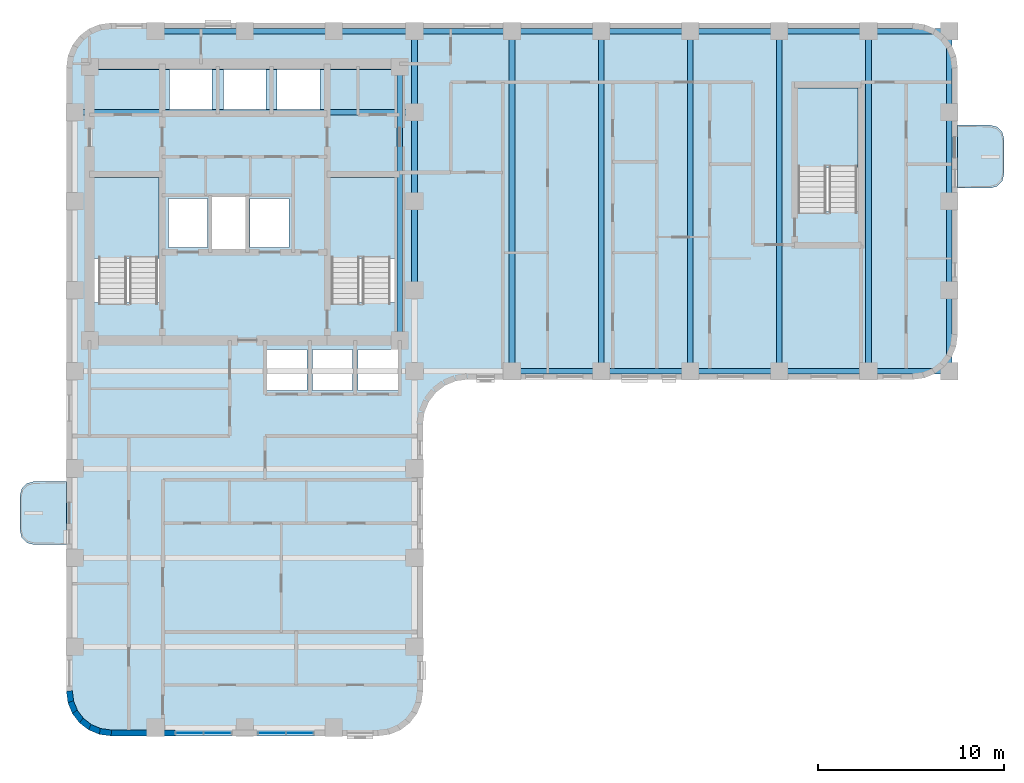
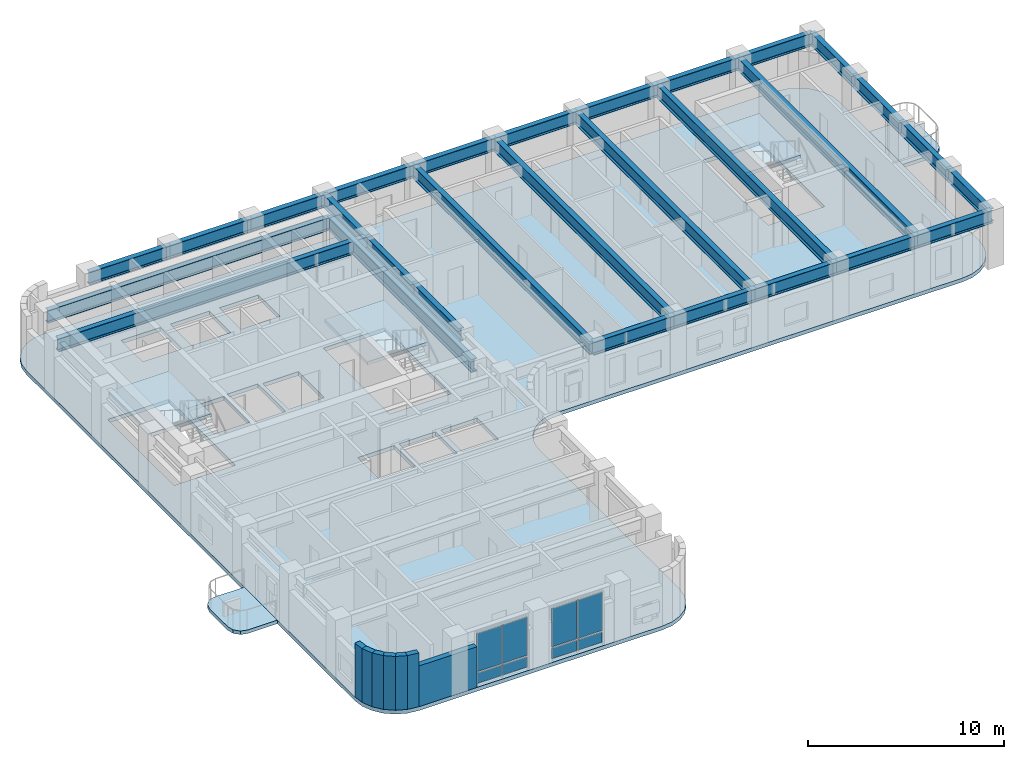
# One storey, part 3 of 11: 29 beams, 8 plates, 7 walls, 6 slabs, 5 elements without a shape of their own.
"""IFC4 building model written with IfcOpenShell, lengths in metres."""

import ifcopenshell
import ifcopenshell.guid

model = None  # the IFC model being written
_history = None  # IfcOwnerHistory: only IFC2X3 demands one
_inside = {}  # id of a spatial element -> (the spatial element, [elements in it])
_under = {}  # id of a project, library or spatial element -> (it, [spatial elements below it])
_declared = {}  # id of a project -> (the project, [libraries it declares])
_typed = {}  # id of a type object -> (the type object, [elements of that type])
_made_of = {}  # id of a material, layer set ... -> (it, [elements and type objects made of it])


def new_model(schema):
    """Start an empty IFC model of exactly this schema.

    Asked for "IFC4X3", IfcOpenShell would pick the latest addendum, in which some entities
    have other attributes; the version numbers below select the first issue.
    IFC2X3 requires an IfcOwnerHistory on every rooted entity: one is made here for all.
    """
    global model, _history
    if schema == "IFC4X3":
        model = ifcopenshell.file(schema_version=(4, 3, 0, 0))
    else:
        model = ifcopenshell.file(schema=schema)
    _inside.clear()
    _under.clear()
    _declared.clear()
    _typed.clear()
    _made_of.clear()
    _history = None
    if model.schema == "IFC2X3":
        org = make("IfcOrganization", Name="unknown")
        user = make(
            "IfcPersonAndOrganization",
            ThePerson=make("IfcPerson", FamilyName="unknown"),
            TheOrganization=org,
        )
        app = make(
            "IfcApplication",
            ApplicationDeveloper=org,
            Version="unknown",
            ApplicationFullName="unknown",
            ApplicationIdentifier="unknown",
        )
        _history = make(
            "IfcOwnerHistory",
            OwningUser=user,
            OwningApplication=app,
            ChangeAction="ADDED",
            CreationDate=0,
        )
    return model


def make(cls, **values):
    """One entity of the class cls with the attributes given. An attribute that is None is left unset."""
    return model.create_entity(
        cls, **{name: value for name, value in values.items() if value is not None}
    )


def rooted(cls, **values):
    """An entity with a GlobalId (a new one), such as an element, a storey or a relation."""
    return make(cls, GlobalId=ifcopenshell.guid.new(), OwnerHistory=_history, **values)


def si_unit(unit_type, name, prefix=None):
    """IfcSIUnit, for example si_unit("LENGTHUNIT", "METRE", prefix="MILLI")."""
    return make("IfcSIUnit", UnitType=unit_type, Prefix=prefix, Name=name)


def assignment(units):
    """IfcUnitAssignment: the units of a project."""
    return None if units is None else make("IfcUnitAssignment", Units=units)


def point(xyz):
    """IfcCartesianPoint."""
    return None if xyz is None else make("IfcCartesianPoint", Coordinates=xyz)


def direction(xyz):
    """IfcDirection."""
    return None if xyz is None else make("IfcDirection", DirectionRatios=xyz)


def frame(location, z_axis=None, x_axis=None):
    """IfcAxis2Placement3D, a coordinate frame: its origin and axes. An axis left out is left unset."""
    return make(
        "IfcAxis2Placement3D",
        Location=point(location),
        Axis=direction(z_axis),
        RefDirection=direction(x_axis),
    )


def frame_2d(location, x_axis=None):
    """IfcAxis2Placement2D, a coordinate frame in the plane: its origin and x axis."""
    return make(
        "IfcAxis2Placement2D", Location=point(location), RefDirection=direction(x_axis)
    )


def origin():
    """The frame at (0, 0, 0) with its axes left unset."""
    return frame((0.0, 0.0, 0.0))


def origin_2d():
    """The frame at (0, 0) in the plane with its x axis left unset."""
    return frame_2d((0.0, 0.0))


def place(relative_to, where):
    """IfcLocalPlacement: puts the frame where relative to a parent placement (None: the world)."""
    return make(
        "IfcLocalPlacement", PlacementRelTo=relative_to, RelativePlacement=where
    )


def context(
    kind, dimensions, precision=None, world=None, true_north=None, identifier=None
):
    """IfcGeometricRepresentationContext, for example the 3D "Model" context."""
    return make(
        "IfcGeometricRepresentationContext",
        ContextIdentifier=identifier,
        ContextType=kind,
        CoordinateSpaceDimension=dimensions,
        Precision=precision,
        WorldCoordinateSystem=world,
        TrueNorth=true_north,
    )


def subcontext(parent, identifier, kind, view, scale=None):
    """IfcGeometricRepresentationSubContext, for example "Body" below "Model"."""
    return make(
        "IfcGeometricRepresentationSubContext",
        ContextIdentifier=identifier,
        ContextType=kind,
        ParentContext=parent,
        TargetScale=scale,
        TargetView=view,
    )


def project(units=None, contexts=None):
    """IfcProject with its units and contexts."""
    return rooted(
        "IfcProject",
        Name="project",
        RepresentationContexts=contexts,
        UnitsInContext=assignment(units),
    )


def spatial(cls, under=None, at=None, **own):
    """A site, building, storey or space (cls), placed at a placement, below another one or the project."""
    s = rooted(cls, ObjectPlacement=at, **own)
    if under is not None:
        _under.setdefault(under.id(), (under, []))[1].append(s)
    return s


def polyline(points):
    """IfcPolyline through the points."""
    return make("IfcPolyline", Points=[point(p) for p in points])


def profile(cls, at=None, kind="AREA", **sizes):
    """A parametric profile (cls). Its sizes go by their IFC names, for example OverallWidth=200.0."""
    return make(cls, ProfileType=kind, Position=at, **sizes)


def rectangle(**sizes):
    """IfcRectangleProfileDef."""
    return profile("IfcRectangleProfileDef", **sizes)


def i_section(**sizes):
    """IfcIShapeProfileDef."""
    return profile("IfcIShapeProfileDef", **sizes)


def outline(outer, holes=None, kind="AREA"):
    """IfcArbitraryClosedProfileDef: a profile drawn as a closed curve; with holes, ...WithVoids."""
    if holes is None:
        return make("IfcArbitraryClosedProfileDef", ProfileType=kind, OuterCurve=outer)
    return make(
        "IfcArbitraryProfileDefWithVoids",
        ProfileType=kind,
        OuterCurve=outer,
        InnerCurves=holes,
    )


def extrude(swept, where, along, depth):
    """IfcExtrudedAreaSolid: the profile swept, set in the frame where, extruded along a direction by depth."""
    return make(
        "IfcExtrudedAreaSolid",
        SweptArea=swept,
        Position=where,
        ExtrudedDirection=direction(along),
        Depth=depth,
    )


def shape(context_of_items, identifier, shape_type, items):
    """IfcShapeRepresentation: the items that make up one representation, for example the "Body"."""
    return make(
        "IfcShapeRepresentation",
        ContextOfItems=context_of_items,
        RepresentationIdentifier=identifier,
        RepresentationType=shape_type,
        Items=items,
    )


def material(Name=None, Category=None):
    """IfcMaterial."""
    return make("IfcMaterial", Name=Name, Category=Category)


def layer(
    of_material, thickness, ventilated=None, Name=None, Category=None, Priority=None
):
    """IfcMaterialLayer: one layer of a wall or slab, of a material (None: an air gap)."""
    return make(
        "IfcMaterialLayer",
        Material=of_material,
        LayerThickness=thickness,
        IsVentilated=ventilated,
        Name=Name,
        Category=Category,
        Priority=Priority,
    )


def layer_set(layers, Name=None):
    """IfcMaterialLayerSet."""
    return make("IfcMaterialLayerSet", MaterialLayers=layers, LayerSetName=Name)


def material_profile(
    of_material, cross_section, Name=None, Category=None, Priority=None
):
    """IfcMaterialProfile: a cross section and its material."""
    return make(
        "IfcMaterialProfile",
        Name=Name,
        Material=of_material,
        Profile=cross_section,
        Priority=Priority,
        Category=Category,
    )


def profile_set(profiles, Name=None, composite=None):
    """IfcMaterialProfileSet."""
    return make(
        "IfcMaterialProfileSet",
        Name=Name,
        MaterialProfiles=profiles,
        CompositeProfile=composite,
    )


def made_of(thing, what):
    """Note that an element or type object is made of a material, layer set ...; save() writes the relation."""
    if what is not None:
        _made_of.setdefault(what.id(), (what, []))[1].append(thing)
    return thing


def type_object(cls, material=None, **own):
    """A type object (cls), such as IfcWallType, which elements share."""
    return made_of(rooted(cls, **own), material)


def element(
    cls,
    number,
    at=None,
    inside=None,
    cuts=None,
    type_object=None,
    material=None,
    context=None,
    identifier="Body",
    shape_type=None,
    held_by="IfcProductDefinitionShape",
    body=None,
    shapes=None,
    **own,
):
    """One element of the class cls, such as IfcWall. Its Tag is "e" and its number.

    at: its placement. inside: the storey or other place that contains it. cuts: it is an
    opening in that element (IfcRelVoidsElement). A single representation is given by context,
    identifier, shape_type and body (its items); several are given by shapes. held_by: the class
    of the entity that holds the representations. save() writes the other relations.
    """
    e = rooted(cls, Tag="e%d" % number, ObjectPlacement=at, **own)
    if body is not None:
        shapes = [shape(context, identifier, shape_type, body)]
    if shapes is not None:
        e.Representation = make(held_by, Representations=shapes)
    if inside is not None:
        _inside.setdefault(inside.id(), (inside, []))[1].append(e)
    if cuts is not None:
        rooted(
            "IfcRelVoidsElement", RelatingBuildingElement=cuts, RelatedOpeningElement=e
        )
    if type_object is not None:
        _typed.setdefault(type_object.id(), (type_object, []))[1].append(e)
    return made_of(e, material)


def aggregate(whole, parts):
    """IfcRelAggregates: a whole, such as a stair, and the parts it consists of."""
    return rooted("IfcRelAggregates", RelatingObject=whole, RelatedObjects=parts)


def save(model, path):
    """Write the relations noted so far, then the file.

    IfcRelAggregates (storeys below a building ...), IfcRelContainedInSpatialStructure (elements
    in a storey), IfcRelDefinesByType, IfcRelAssociatesMaterial and IfcRelDeclares: one each for
    every whole, place, type object, material and project.
    """
    for whole, parts in _under.values():
        aggregate(whole, parts)
    for where, things in _inside.values():
        rooted(
            "IfcRelContainedInSpatialStructure",
            RelatedElements=things,
            RelatingStructure=where,
        )
    for kind, things in _typed.values():
        rooted("IfcRelDefinesByType", RelatedObjects=things, RelatingType=kind)
    for what, things in _made_of.values():
        rooted("IfcRelAssociatesMaterial", RelatedObjects=things, RelatingMaterial=what)
    for by, libraries in _declared.values():
        rooted("IfcRelDeclares", RelatingContext=by, RelatedDefinitions=libraries)
    model.write(path)


model = new_model("IFC4")

# Units and contexts
model_context = context("Model", 3, precision=1e-05, world=origin(), true_north=direction((0.0, 1.0)))
body_context = subcontext(model_context, "Body", "Model", "MODEL_VIEW")
ifc_project = project(units=[si_unit("LENGTHUNIT", "METRE"), si_unit("AREAUNIT", "SQUARE_METRE"), si_unit("VOLUMEUNIT", "CUBIC_METRE"), si_unit("PLANEANGLEUNIT", "RADIAN"), si_unit("MASSUNIT", "GRAM", prefix="KILO")], contexts=[model_context])

# Site, building, storey
site_placement = place(None, origin())
site = spatial("IfcSite", under=ifc_project, at=site_placement, CompositionType="ELEMENT")
building_placement = place(site_placement, origin())
building = spatial("IfcBuilding", under=site, at=building_placement, Name="Orvandelia Arch Residences", CompositionType="ELEMENT")
storey_placement = place(building_placement, frame((0.0, 0.0, 146.800048828125)))
storey = spatial("IfcBuildingStorey", under=building, at=storey_placement, Name="L38", CompositionType="ELEMENT", Elevation=146.800048828125)

# Beams
ifc_material_1 = material(Name="Structural Steel SM355 (355 MPa)", Category="steel")
ifc_material_profile = material_profile(ifc_material_1, i_section(OverallWidth=0.300048828125, OverallDepth=0.800048828125, WebThickness=0.013916015625, FlangeThickness=0.02587890625, FilletRadius=0.02587890625, at=origin_2d()), Name="Structural Steel SM355 (355 MPa)", Category="steel")
ifc_profile_set = profile_set([ifc_material_profile], Name="Structural Steel SM355 (355 MPa)")
beam_type = type_object("IfcBeamType", Name="BM-GRD-H800", PredefinedType="BEAM", material=ifc_profile_set)
beam_1_placement = place(storey_placement, frame((22.75, 30.89990234375, 2.9599609375), z_axis=(0.0, 1.0, 0.0), x_axis=(-1.0, 0.0, 0.0)))
element("IfcBeam", 1, at=beam_1_placement, inside=storey, type_object=beam_type, Name="Structural Frame Beam L38-NS-008", PredefinedType="BEAM", context=body_context, shape_type="SweptSolid", body=[
    extrude(i_section(OverallWidth=0.300048828125, OverallDepth=0.800048828125, WebThickness=0.013916015625, FlangeThickness=0.02587890625, FilletRadius=0.02587890625, at=origin_2d()), origin(), (0.0, 0.0, 1.0), 14.75),
])
beam_2_placement = place(storey_placement, frame((23.550048828125, 33.60009765625, 2.9599609375), z_axis=(0.0, 1.0, 0.0), x_axis=(-1.0, 0.0, 0.0)))
element("IfcBeam", 2, at=beam_2_placement, inside=storey, type_object=beam_type, Name="Structural Frame Beam L38-NS-013", PredefinedType="BEAM", context=body_context, shape_type="SweptSolid", body=[
    extrude(i_section(OverallWidth=0.300048828125, OverallDepth=0.800048828125, WebThickness=0.013916015625, FlangeThickness=0.02587890625, FilletRadius=0.02587890625, at=origin_2d()), origin(), (0.0, 0.0, 1.0), 4.7998046875),
])
beam_3_placement = place(storey_placement, frame((23.550048828125, 38.39990234375, 2.9599609375), z_axis=(0.0, 1.0, 0.0), x_axis=(-1.0, 0.0, 0.0)))
element("IfcBeam", 3, at=beam_3_placement, inside=storey, type_object=beam_type, Name="Structural Frame Beam L38-NS-014", PredefinedType="BEAM", context=body_context, shape_type="SweptSolid", body=[
    extrude(i_section(OverallWidth=0.300048828125, OverallDepth=0.800048828125, WebThickness=0.013916015625, FlangeThickness=0.02587890625, FilletRadius=0.02587890625, at=origin_2d()), origin(), (0.0, 0.0, 1.0), 4.800048828125),
])
beam_4_placement = place(storey_placement, frame((23.550048828125, 43.199951171875, 2.9599609375), z_axis=(0.0, 1.0, 0.0), x_axis=(-1.0, 0.0, 0.0)))
element("IfcBeam", 4, at=beam_4_placement, inside=storey, type_object=beam_type, Name="Structural Frame Beam L38-NS-015", PredefinedType="BEAM", context=body_context, shape_type="SweptSolid", body=[
    extrude(i_section(OverallWidth=0.300048828125, OverallDepth=0.800048828125, WebThickness=0.013916015625, FlangeThickness=0.02587890625, FilletRadius=0.02587890625, at=origin_2d()), origin(), (0.0, 0.0, 1.0), 4.35009765625),
])
for number, where, z_axis, x_axis, name in (
    (5, (28.800048828125, 29.25, 2.9599609375), (0.0, 1.0, 0.0), (-1.0, 0.0, 0.0), "Structural Frame Beam L38-NS-016"),
    (6, (33.60009765625, 29.25, 2.9599609375), (0.0, 1.0, 0.0), (-1.0, 0.0, 0.0), "Structural Frame Beam L38-NS-017"),
    (7, (38.39990234375, 29.25, 2.9599609375), (0.0, 1.0, 0.0), (-1.0, 0.0, 0.0), "Structural Frame Beam L38-NS-018"),
    (8, (43.199951171875, 29.25, 2.9599609375), (0.0, 1.0, 0.0), (-1.0, 0.0, 0.0), "Structural Frame Beam L38-NS-019"),
    (9, (48.0, 29.25, 2.9599609375), (0.0, 1.0, 0.0), (-1.0, 0.0, 0.0), "Structural Frame Beam L38-NS-020"),
):
    element("IfcBeam", number, at=place(storey_placement, frame(where, z_axis=z_axis, x_axis=x_axis)), inside=storey, type_object=beam_type, Name=name, PredefinedType="BEAM", context=body_context, shape_type="SweptSolid", body=[
        extrude(i_section(OverallWidth=0.300048828125, OverallDepth=0.800048828125, WebThickness=0.013916015625, FlangeThickness=0.02587890625, FilletRadius=0.02587890625, at=origin_2d()), origin(), (0.0, 0.0, 1.0), 18.300048828125),
    ])
beam_5_placement = place(storey_placement, frame((52.35009765625, 29.25, 2.9599609375), z_axis=(0.0, 1.0, 0.0), x_axis=(-1.0, 0.0, 0.0)))
element("IfcBeam", 10, at=beam_5_placement, inside=storey, type_object=beam_type, Name="Structural Frame Beam L38-NS-021", PredefinedType="BEAM", context=body_context, shape_type="SweptSolid", body=[
    extrude(i_section(OverallWidth=0.300048828125, OverallDepth=0.800048828125, WebThickness=0.013916015625, FlangeThickness=0.02587890625, FilletRadius=0.02587890625, at=origin_2d()), origin(), (0.0, 0.0, 1.0), 4.35009765625),
])
beam_6_placement = place(storey_placement, frame((52.35009765625, 33.60009765625, 2.9599609375), z_axis=(0.0, 1.0, 0.0), x_axis=(-1.0, 0.0, 0.0)))
element("IfcBeam", 11, at=beam_6_placement, inside=storey, type_object=beam_type, Name="Structural Frame Beam L38-NS-022", PredefinedType="BEAM", context=body_context, shape_type="SweptSolid", body=[
    extrude(i_section(OverallWidth=0.300048828125, OverallDepth=0.800048828125, WebThickness=0.013916015625, FlangeThickness=0.02587890625, FilletRadius=0.02587890625, at=origin_2d()), origin(), (0.0, 0.0, 1.0), 4.7998046875),
])
beam_7_placement = place(storey_placement, frame((52.35009765625, 38.39990234375, 2.9599609375), z_axis=(0.0, 1.0, 0.0), x_axis=(-1.0, 0.0, 0.0)))
element("IfcBeam", 12, at=beam_7_placement, inside=storey, type_object=beam_type, Name="Structural Frame Beam L38-NS-023", PredefinedType="BEAM", context=body_context, shape_type="SweptSolid", body=[
    extrude(i_section(OverallWidth=0.300048828125, OverallDepth=0.800048828125, WebThickness=0.013916015625, FlangeThickness=0.02587890625, FilletRadius=0.02587890625, at=origin_2d()), origin(), (0.0, 0.0, 1.0), 4.800048828125),
])
beam_8_placement = place(storey_placement, frame((52.35009765625, 43.199951171875, 2.9599609375), z_axis=(0.0, 1.0, 0.0), x_axis=(-1.0, 0.0, 0.0)))
element("IfcBeam", 13, at=beam_8_placement, inside=storey, type_object=beam_type, Name="Structural Frame Beam L38-NS-024", PredefinedType="BEAM", context=body_context, shape_type="SweptSolid", body=[
    extrude(i_section(OverallWidth=0.300048828125, OverallDepth=0.800048828125, WebThickness=0.013916015625, FlangeThickness=0.02587890625, FilletRadius=0.02587890625, at=origin_2d()), origin(), (0.0, 0.0, 1.0), 4.35009765625),
])
beam_9_placement = place(storey_placement, frame((28.800048828125, 29.25, 2.9599609375), z_axis=(1.0, 0.0, 0.0), x_axis=(0.0, 1.0, 0.0)))
element("IfcBeam", 14, at=beam_9_placement, inside=storey, type_object=beam_type, Name="Structural Frame Girder L38-EW-032", PredefinedType="BEAM", context=body_context, shape_type="SweptSolid", body=[
    extrude(i_section(OverallWidth=0.300048828125, OverallDepth=0.800048828125, WebThickness=0.013916015625, FlangeThickness=0.02587890625, FilletRadius=0.02587890625, at=origin_2d()), origin(), (0.0, 0.0, 1.0), 4.800048828125),
])
beam_10_placement = place(storey_placement, frame((33.60009765625, 29.25, 2.9599609375), z_axis=(1.0, 0.0, 0.0), x_axis=(0.0, 1.0, 0.0)))
element("IfcBeam", 15, at=beam_10_placement, inside=storey, type_object=beam_type, Name="Structural Frame Girder L38-EW-033", PredefinedType="BEAM", context=body_context, shape_type="SweptSolid", body=[
    extrude(i_section(OverallWidth=0.300048828125, OverallDepth=0.800048828125, WebThickness=0.013916015625, FlangeThickness=0.02587890625, FilletRadius=0.02587890625, at=origin_2d()), origin(), (0.0, 0.0, 1.0), 4.7998046875),
])
for number, where, z_axis, x_axis, name in (
    (16, (38.39990234375, 29.25, 2.9599609375), (1.0, 0.0, 0.0), (0.0, 1.0, 0.0), "Structural Frame Girder L38-EW-034"),
    (17, (43.199951171875, 29.25, 2.9599609375), (1.0, 0.0, 0.0), (0.0, 1.0, 0.0), "Structural Frame Girder L38-EW-035"),
):
    element("IfcBeam", number, at=place(storey_placement, frame(where, z_axis=z_axis, x_axis=x_axis)), inside=storey, type_object=beam_type, Name=name, PredefinedType="BEAM", context=body_context, shape_type="SweptSolid", body=[
        extrude(i_section(OverallWidth=0.300048828125, OverallDepth=0.800048828125, WebThickness=0.013916015625, FlangeThickness=0.02587890625, FilletRadius=0.02587890625, at=origin_2d()), origin(), (0.0, 0.0, 1.0), 4.800048828125),
    ])
beam_11_placement = place(storey_placement, frame((48.0, 29.25, 2.9599609375), z_axis=(1.0, 0.0, 0.0), x_axis=(0.0, 1.0, 0.0)))
element("IfcBeam", 18, at=beam_11_placement, inside=storey, type_object=beam_type, Name="Structural Frame Girder L38-EW-036", PredefinedType="BEAM", context=body_context, shape_type="SweptSolid", body=[
    extrude(i_section(OverallWidth=0.300048828125, OverallDepth=0.800048828125, WebThickness=0.013916015625, FlangeThickness=0.02587890625, FilletRadius=0.02587890625, at=origin_2d()), origin(), (0.0, 0.0, 1.0), 4.35009765625),
])
beam_12_placement = place(storey_placement, frame((5.25, 43.199951171875, 2.9599609375), z_axis=(1.0, 0.0, 0.0), x_axis=(0.0, 1.0, 0.0)))
element("IfcBeam", 19, at=beam_12_placement, inside=storey, type_object=beam_type, Name="Structural Frame Girder L38-EW-040", PredefinedType="BEAM", context=body_context, shape_type="SweptSolid", body=[
    extrude(i_section(OverallWidth=0.300048828125, OverallDepth=0.800048828125, WebThickness=0.013916015625, FlangeThickness=0.02587890625, FilletRadius=0.02587890625, at=origin_2d()), origin(), (0.0, 0.0, 1.0), 18.300048828125),
])
beam_13_placement = place(storey_placement, frame((6.050048828125, 45.64990234375, 2.9599609375), z_axis=(1.0, 0.0, 0.0), x_axis=(0.0, 1.0, 0.0)))
element("IfcBeam", 20, at=beam_13_placement, inside=storey, type_object=beam_type, Name="Structural Frame Girder L38-EW-041", PredefinedType="BEAM", context=body_context, shape_type="SweptSolid", body=[
    extrude(i_section(OverallWidth=0.300048828125, OverallDepth=0.800048828125, WebThickness=0.013916015625, FlangeThickness=0.02587890625, FilletRadius=0.02587890625, at=origin_2d()), origin(), (0.0, 0.0, 1.0), 16.699951171875),
])
beam_14_placement = place(storey_placement, frame((9.60009765625, 47.550048828125, 2.9599609375), z_axis=(1.0, 0.0, 0.0), x_axis=(0.0, 1.0, 0.0)))
element("IfcBeam", 21, at=beam_14_placement, inside=storey, type_object=beam_type, Name="Structural Frame Girder L38-EW-042", PredefinedType="BEAM", context=body_context, shape_type="SweptSolid", body=[
    extrude(i_section(OverallWidth=0.300048828125, OverallDepth=0.800048828125, WebThickness=0.013916015625, FlangeThickness=0.02587890625, FilletRadius=0.02587890625, at=origin_2d()), origin(), (0.0, 0.0, 1.0), 4.7998046875),
])
beam_15_placement = place(storey_placement, frame((14.39990234375, 47.550048828125, 2.9599609375), z_axis=(1.0, 0.0, 0.0), x_axis=(0.0, 1.0, 0.0)))
element("IfcBeam", 22, at=beam_15_placement, inside=storey, type_object=beam_type, Name="Structural Frame Girder L38-EW-043", PredefinedType="BEAM", context=body_context, shape_type="SweptSolid", body=[
    extrude(i_section(OverallWidth=0.300048828125, OverallDepth=0.800048828125, WebThickness=0.013916015625, FlangeThickness=0.02587890625, FilletRadius=0.02587890625, at=origin_2d()), origin(), (0.0, 0.0, 1.0), 4.800048828125),
])
beam_16_placement = place(storey_placement, frame((19.199951171875, 47.550048828125, 2.9599609375), z_axis=(1.0, 0.0, 0.0), x_axis=(0.0, 1.0, 0.0)))
element("IfcBeam", 23, at=beam_16_placement, inside=storey, type_object=beam_type, Name="Structural Frame Girder L38-EW-044", PredefinedType="BEAM", context=body_context, shape_type="SweptSolid", body=[
    extrude(i_section(OverallWidth=0.300048828125, OverallDepth=0.800048828125, WebThickness=0.013916015625, FlangeThickness=0.02587890625, FilletRadius=0.02587890625, at=origin_2d()), origin(), (0.0, 0.0, 1.0), 4.35009765625),
])
beam_17_placement = place(storey_placement, frame((23.550048828125, 47.550048828125, 2.9599609375), z_axis=(1.0, 0.0, 0.0), x_axis=(0.0, 1.0, 0.0)))
element("IfcBeam", 24, at=beam_17_placement, inside=storey, type_object=beam_type, Name="Structural Frame Girder L38-EW-045", PredefinedType="BEAM", context=body_context, shape_type="SweptSolid", body=[
    extrude(i_section(OverallWidth=0.300048828125, OverallDepth=0.800048828125, WebThickness=0.013916015625, FlangeThickness=0.02587890625, FilletRadius=0.02587890625, at=origin_2d()), origin(), (0.0, 0.0, 1.0), 5.25),
])
beam_18_placement = place(storey_placement, frame((28.800048828125, 47.550048828125, 2.9599609375), z_axis=(1.0, 0.0, 0.0), x_axis=(0.0, 1.0, 0.0)))
element("IfcBeam", 25, at=beam_18_placement, inside=storey, type_object=beam_type, Name="Structural Frame Girder L38-EW-046", PredefinedType="BEAM", context=body_context, shape_type="SweptSolid", body=[
    extrude(i_section(OverallWidth=0.300048828125, OverallDepth=0.800048828125, WebThickness=0.013916015625, FlangeThickness=0.02587890625, FilletRadius=0.02587890625, at=origin_2d()), origin(), (0.0, 0.0, 1.0), 4.800048828125),
])
beam_19_placement = place(storey_placement, frame((33.60009765625, 47.550048828125, 2.9599609375), z_axis=(1.0, 0.0, 0.0), x_axis=(0.0, 1.0, 0.0)))
element("IfcBeam", 26, at=beam_19_placement, inside=storey, type_object=beam_type, Name="Structural Frame Girder L38-EW-047", PredefinedType="BEAM", context=body_context, shape_type="SweptSolid", body=[
    extrude(i_section(OverallWidth=0.300048828125, OverallDepth=0.800048828125, WebThickness=0.013916015625, FlangeThickness=0.02587890625, FilletRadius=0.02587890625, at=origin_2d()), origin(), (0.0, 0.0, 1.0), 4.7998046875),
])
for number, where, z_axis, x_axis, name in (
    (27, (38.39990234375, 47.550048828125, 2.9599609375), (1.0, 0.0, 0.0), (0.0, 1.0, 0.0), "Structural Frame Girder L38-EW-048"),
    (28, (43.199951171875, 47.550048828125, 2.9599609375), (1.0, 0.0, 0.0), (0.0, 1.0, 0.0), "Structural Frame Girder L38-EW-049"),
):
    element("IfcBeam", number, at=place(storey_placement, frame(where, z_axis=z_axis, x_axis=x_axis)), inside=storey, type_object=beam_type, Name=name, PredefinedType="BEAM", context=body_context, shape_type="SweptSolid", body=[
        extrude(i_section(OverallWidth=0.300048828125, OverallDepth=0.800048828125, WebThickness=0.013916015625, FlangeThickness=0.02587890625, FilletRadius=0.02587890625, at=origin_2d()), origin(), (0.0, 0.0, 1.0), 4.800048828125),
    ])
beam_20_placement = place(storey_placement, frame((48.0, 47.550048828125, 2.9599609375), z_axis=(1.0, 0.0, 0.0), x_axis=(0.0, 1.0, 0.0)))
element("IfcBeam", 29, at=beam_20_placement, inside=storey, type_object=beam_type, Name="Structural Frame Girder L38-EW-050", PredefinedType="BEAM", context=body_context, shape_type="SweptSolid", body=[
    extrude(i_section(OverallWidth=0.300048828125, OverallDepth=0.800048828125, WebThickness=0.013916015625, FlangeThickness=0.02587890625, FilletRadius=0.02587890625, at=origin_2d()), origin(), (0.0, 0.0, 1.0), 4.35009765625),
])

# Curtain wall, plates
ifc_material_2 = material(Name="Anodised Bronze Curtain Wall Assembly")
curtain_wall_type = type_object("IfcCurtainWallType", Name="CW-SYS5-CORNER", PredefinedType="NOTDEFINED", material=ifc_material_2)
curtain_wall_1_placement = place(storey_placement, origin())
curtain_wall_1 = element("IfcCurtainWall", 30, at=curtain_wall_1_placement, inside=storey, type_object=curtain_wall_type, Name="Feature Bay Winter-Garden Curtain Wall L38 1", PredefinedType="NOTDEFINED")
ifc_material_3 = material(Name="Insulated Bronze Aluminium Spandrel Panel", Category="aluminium")
ifc_layer_1 = layer(ifc_material_3, 0.0400390625, Name="Insulated Bronze Aluminium Spandrel Panel", Category="aluminium")
ifc_layer_set_1 = layer_set([ifc_layer_1], Name="Insulated Bronze Aluminium Spandrel Panel")
plate_type_1 = type_object("IfcPlateType", Name="CW-PANEL-SPANDREL", PredefinedType="SHEET", material=ifc_layer_set_1)
plate_1_placement = place(storey_placement, frame((11.431396484375, 9.760009765625, 0.125), z_axis=(0.0, 0.0, 1.0), x_axis=(1.0, 0.0, 0.0)))
plate_1 = element("IfcPlate", 31, at=plate_1_placement, type_object=plate_type_1, Name="Curtain Wall Spandrel Panel CW-L38-1-PS1", PredefinedType="SHEET", context=body_context, shape_type="SweptSolid", body=[
    extrude(rectangle(XDim=1.452392578125, YDim=0.0400390625, at=origin_2d()), origin(), (0.0, 0.0, 1.0), 0.62646484375),
])
plate_2_placement = place(storey_placement, frame((12.93359375, 9.760009765625, 0.125), z_axis=(0.0, 0.0, 1.0), x_axis=(1.0, 0.0, 0.0)))
plate_2 = element("IfcPlate", 32, at=plate_2_placement, type_object=plate_type_1, Name="Curtain Wall Spandrel Panel CW-L38-1-PS2", PredefinedType="SHEET", context=body_context, shape_type="SweptSolid", body=[
    extrude(rectangle(XDim=1.452392578125, YDim=0.0400390625, at=origin_2d()), origin(), (0.0, 0.0, 1.0), 0.62646484375),
])

curtain_wall_2_placement = place(storey_placement, origin())
curtain_wall_2 = element("IfcCurtainWall", 33, at=curtain_wall_2_placement, inside=storey, type_object=curtain_wall_type, Name="Feature Bay Winter-Garden Curtain Wall L38 2", PredefinedType="NOTDEFINED")
plate_3_placement = place(storey_placement, frame((15.8662109375, 9.760009765625, 0.125), z_axis=(0.0, 0.0, 1.0), x_axis=(1.0, 0.0, 0.0)))
plate_3 = element("IfcPlate", 34, at=plate_3_placement, type_object=plate_type_1, Name="Curtain Wall Spandrel Panel CW-L38-2-PS1", PredefinedType="SHEET", context=body_context, shape_type="SweptSolid", body=[
    extrude(rectangle(XDim=1.452392578125, YDim=0.0400390625, at=origin_2d()), origin(), (0.0, 0.0, 1.0), 0.62646484375),
])
plate_4_placement = place(storey_placement, frame((17.36865234375, 9.760009765625, 0.125), z_axis=(0.0, 0.0, 1.0), x_axis=(1.0, 0.0, 0.0)))
plate_4 = element("IfcPlate", 35, at=plate_4_placement, type_object=plate_type_1, Name="Curtain Wall Spandrel Panel CW-L38-2-PS2", PredefinedType="SHEET", context=body_context, shape_type="SweptSolid", body=[
    extrude(rectangle(XDim=1.452392578125, YDim=0.0400390625, at=origin_2d()), origin(), (0.0, 0.0, 1.0), 0.62646484375),
])

# Plate
ifc_material_4 = material(Name="Low-E Laminated Double Glazing", Category="glass")
ifc_layer_2 = layer(ifc_material_4, 0.031982421875, Name="Low-E Laminated Double Glazing", Category="glass")
ifc_layer_set_2 = layer_set([ifc_layer_2], Name="Low-E Laminated Double Glazing")
plate_type_2 = type_object("IfcPlateType", Name="CW-PANEL-VISION", PredefinedType="CURTAIN_PANEL", material=ifc_layer_set_2)
plate_5_placement = place(storey_placement, frame((11.431396484375, 9.760009765625, 0.861328125), z_axis=(0.0, 0.0, 1.0), x_axis=(1.0, 0.0, 0.0)))
plate_5 = element("IfcPlate", 36, at=plate_5_placement, type_object=plate_type_2, Name="Curtain Wall Vision Glass Panel CW-L38-1-PV1", PredefinedType="CURTAIN_PANEL", context=body_context, shape_type="SweptSolid", body=[
    extrude(rectangle(XDim=1.452392578125, YDim=0.031982421875, at=origin_2d()), origin(), (0.0, 0.0, 1.0), 2.37353515625),
])

plate_6_placement = place(storey_placement, frame((12.93359375, 9.760009765625, 0.861328125), z_axis=(0.0, 0.0, 1.0), x_axis=(1.0, 0.0, 0.0)))
plate_6 = element("IfcPlate", 37, at=plate_6_placement, type_object=plate_type_2, Name="Curtain Wall Vision Glass Panel CW-L38-1-PV2", PredefinedType="CURTAIN_PANEL", context=body_context, shape_type="SweptSolid", body=[
    extrude(rectangle(XDim=1.452392578125, YDim=0.031982421875, at=origin_2d()), origin(), (0.0, 0.0, 1.0), 2.37353515625),
])

aggregate(curtain_wall_1, [plate_1, plate_5, plate_2, plate_6])

plate_7_placement = place(storey_placement, frame((15.8662109375, 9.760009765625, 0.861328125), z_axis=(0.0, 0.0, 1.0), x_axis=(1.0, 0.0, 0.0)))
plate_7 = element("IfcPlate", 38, at=plate_7_placement, type_object=plate_type_2, Name="Curtain Wall Vision Glass Panel CW-L38-2-PV1", PredefinedType="CURTAIN_PANEL", context=body_context, shape_type="SweptSolid", body=[
    extrude(rectangle(XDim=1.452392578125, YDim=0.031982421875, at=origin_2d()), origin(), (0.0, 0.0, 1.0), 2.37353515625),
])

plate_8_placement = place(storey_placement, frame((17.36865234375, 9.760009765625, 0.861328125), z_axis=(0.0, 0.0, 1.0), x_axis=(1.0, 0.0, 0.0)))
plate_8 = element("IfcPlate", 39, at=plate_8_placement, type_object=plate_type_2, Name="Curtain Wall Vision Glass Panel CW-L38-2-PV2", PredefinedType="CURTAIN_PANEL", context=body_context, shape_type="SweptSolid", body=[
    extrude(rectangle(XDim=1.452392578125, YDim=0.031982421875, at=origin_2d()), origin(), (0.0, 0.0, 1.0), 2.37353515625),
])

aggregate(curtain_wall_2, [plate_3, plate_7, plate_4, plate_8])

# Slabs
ifc_material_5 = material(Name="Precast concrete C40/50", Category="concrete")
ifc_layer_3 = layer(ifc_material_5, 0.219970703125, Name="Precast concrete C40/50", Category="concrete")
ifc_layer_set_3 = layer_set([ifc_layer_3], Name="Precast concrete C40/50")
slab_type_1 = type_object("IfcSlabType", Name="SLB-BAL-220", PredefinedType="USERDEFINED", material=ifc_layer_set_3)
slab_1_placement = place(storey_placement, frame((0.0, 0.0, -0.219970703125)))
element("IfcSlab", 40, at=slab_1_placement, inside=storey, type_object=slab_type_1, Name="Tree Balcony Cantilever Slab BAL-L38-W1", ObjectType="BALCONY", PredefinedType="USERDEFINED", context=body_context, shape_type="SweptSolid", body=[
    extrude(outline(polyline([(4.800048828125, 19.89990234375), (4.800048828125, 23.300048828125), (3.050048828125, 23.300048828125), (2.675048828125, 23.199462890625), (2.400390625, 22.925048828125), (2.300048828125, 22.550048828125), (2.300048828125, 20.64990234375), (2.400390625, 20.27490234375), (2.675048828125, 20.00048828125), (3.050048828125, 19.89990234375), (4.800048828125, 19.89990234375)])), origin(), (0.0, 0.0, 1.0), 0.219970703125),
])
slab_2_placement = place(storey_placement, frame((0.0, 0.0, -0.219970703125)))
element("IfcSlab", 41, at=slab_2_placement, inside=storey, type_object=slab_type_1, Name="Tree Balcony Cantilever Slab BAL-L38-E1", ObjectType="BALCONY", PredefinedType="USERDEFINED", context=body_context, shape_type="SweptSolid", body=[
    extrude(outline(polyline([(52.800048828125, 42.5), (52.800048828125, 39.10009765625), (54.550048828125, 39.10009765625), (54.925048828125, 39.200439453125), (55.199462890625, 39.47509765625), (55.300048828125, 39.85009765625), (55.300048828125, 41.75), (55.199462890625, 42.125), (54.925048828125, 42.3994140625), (54.550048828125, 42.5), (52.800048828125, 42.5)])), origin(), (0.0, 0.0, 1.0), 0.219970703125),
])

# Stair, slab
ifc_material_6 = material(Name="Concrete C40/50", Category="concrete")
stair_type = type_object("IfcStairType", Name="STAIR-RC-DOGLEG", PredefinedType="HALF_TURN_STAIR", material=ifc_material_6)
stair_1_placement = place(storey_placement, origin())
stair_1 = element("IfcStair", 42, at=stair_1_placement, inside=storey, type_object=stair_type, Name="L38 Protected Exit Stair ST-1", PredefinedType="HALF_TURN_STAIR")
ifc_layer_4 = layer(ifc_material_6, 0.219970703125, Name="Concrete C40/50", Category="concrete")
ifc_layer_set_4 = layer_set([ifc_layer_4], Name="Concrete C40/50")
slab_type_2 = type_object("IfcSlabType", Name="SLB-LANDING-220", PredefinedType="LANDING", material=ifc_layer_set_4)
slab_3_placement = place(storey_placement, frame((0.0, 0.0, 1.599853515625)))
slab_3 = element("IfcSlab", 43, at=slab_3_placement, type_object=slab_type_2, Name="ST-1 landing 1", PredefinedType="LANDING", context=body_context, shape_type="SweptSolid", body=[
    extrude(outline(polyline([(9.800048828125, 35.31005859375), (9.800048828125, 39.68994140625), (6.260009765625, 39.68994140625), (6.260009765625, 35.31005859375), (9.800048828125, 35.31005859375)])), origin(), (0.0, 0.0, 1.0), 0.2001953125),
])
aggregate(stair_1, [slab_3])

stair_2_placement = place(storey_placement, origin())
stair_2 = element("IfcStair", 44, at=stair_2_placement, inside=storey, type_object=stair_type, Name="L38 Protected Exit Stair ST-2", PredefinedType="HALF_TURN_STAIR")
slab_4_placement = place(storey_placement, frame((0.0, 0.0, 1.599853515625)))
slab_4 = element("IfcSlab", 45, at=slab_4_placement, type_object=slab_type_2, Name="ST-2 landing 1", PredefinedType="LANDING", context=body_context, shape_type="SweptSolid", body=[
    extrude(outline(polyline([(22.5400390625, 35.31005859375), (22.5400390625, 39.68994140625), (19.0, 39.68994140625), (19.0, 35.31005859375), (22.5400390625, 35.31005859375)])), origin(), (0.0, 0.0, 1.0), 0.2001953125),
])
aggregate(stair_2, [slab_4])

stair_3_placement = place(storey_placement, origin())
stair_3 = element("IfcStair", 46, at=stair_3_placement, inside=storey, type_object=stair_type, Name="L38 East Wing Exit Stair ST-3", PredefinedType="HALF_TURN_STAIR")
slab_5_placement = place(storey_placement, frame((0.0, 0.0, 1.599853515625)))
slab_5 = element("IfcSlab", 47, at=slab_5_placement, type_object=slab_type_2, Name="ST-3 landing 1", PredefinedType="LANDING", context=body_context, shape_type="SweptSolid", body=[
    extrude(outline(polyline([(47.43994140625, 40.2099609375), (47.43994140625, 44.5), (44.179931640625, 44.5), (44.179931640625, 40.2099609375), (47.43994140625, 40.2099609375)])), origin(), (0.0, 0.0, 1.0), 0.2001953125),
])
aggregate(stair_3, [slab_5])

# Slab
ifc_layer_5 = layer(ifc_material_6, 0.239990234375, Name="Concrete C40/50", Category="concrete")
ifc_layer_set_5 = layer_set([ifc_layer_5], Name="Concrete C40/50")
slab_type_3 = type_object("IfcSlabType", Name="SLB-TWR-240", PredefinedType="FLOOR", material=ifc_layer_set_5)
slab_6_placement = place(storey_placement, frame((0.0, 0.0, -0.239990234375)))
element("IfcSlab", 48, at=slab_6_placement, inside=storey, type_object=slab_type_3, Name="Structural Floor Slab L38-1", PredefinedType="FLOOR", context=body_context, shape_type="SweptSolid", body=[
    extrude(outline(polyline([(4.800048828125, 12.0), (4.8818359375, 11.37890625), (5.12158203125, 10.800048828125), (5.5029296875, 10.302978515625), (6.0, 9.92138671875), (6.578857421875, 9.681884765625), (7.199951171875, 9.60009765625), (21.60009765625, 9.60009765625), (22.22119140625, 9.681884765625), (22.800048828125, 9.92138671875), (23.297119140625, 10.302978515625), (23.678466796875, 10.800048828125), (23.918212890625, 11.37890625), (24.0, 12.0), (24.0, 26.39990234375), (24.081787109375, 27.021240234375), (24.321533203125, 27.60009765625), (24.702880859375, 28.09716796875), (25.199951171875, 28.478515625), (25.77880859375, 28.71826171875), (26.39990234375, 28.800048828125), (50.39990234375, 28.800048828125), (51.021240234375, 28.8818359375), (51.60009765625, 29.12158203125), (52.09716796875, 29.5029296875), (52.478515625, 30.0), (52.71826171875, 30.578857421875), (52.800048828125, 31.199951171875), (52.800048828125, 45.60009765625), (52.71826171875, 46.22119140625), (52.478515625, 46.800048828125), (52.09716796875, 47.297119140625), (51.60009765625, 47.678466796875), (51.021240234375, 47.918212890625), (50.39990234375, 48.0), (7.199951171875, 48.0), (6.578857421875, 47.918212890625), (6.0, 47.678466796875), (5.5029296875, 47.297119140625), (5.12158203125, 46.800048828125), (4.8818359375, 46.22119140625), (4.800048828125, 45.60009765625), (4.800048828125, 12.0)]), holes=[polyline([(6.219970703125, 32.949951171875), (9.840087890625, 32.949951171875), (9.840087890625, 39.72998046875), (6.219970703125, 39.72998046875), (6.219970703125, 32.949951171875)]), polyline([(18.9599609375, 32.949951171875), (22.580078125, 32.949951171875), (22.580078125, 39.72998046875), (18.9599609375, 39.72998046875), (18.9599609375, 32.949951171875)]), polyline([(44.139892578125, 37.85009765625), (47.47998046875, 37.85009765625), (47.47998046875, 44.5400390625), (44.139892578125, 44.5400390625), (44.139892578125, 37.85009765625)]), polyline([(12.639892578125, 35.81005859375), (14.4599609375, 35.81005859375), (14.4599609375, 38.639892578125), (12.639892578125, 38.639892578125), (12.639892578125, 35.81005859375)]), polyline([(10.300048828125, 35.89990234375), (12.39990234375, 35.89990234375), (12.39990234375, 38.550048828125), (10.300048828125, 38.550048828125), (10.300048828125, 35.89990234375)]), polyline([(14.699951171875, 35.89990234375), (16.800048828125, 35.89990234375), (16.800048828125, 38.550048828125), (14.699951171875, 38.550048828125), (14.699951171875, 35.89990234375)]), polyline([(10.35009765625, 43.300048828125), (12.64990234375, 43.300048828125), (12.64990234375, 45.5), (10.35009765625, 45.5), (10.35009765625, 43.300048828125)]), polyline([(13.25, 43.300048828125), (15.550048828125, 43.300048828125), (15.550048828125, 45.5), (13.25, 45.5), (13.25, 43.300048828125)]), polyline([(16.14990234375, 43.300048828125), (18.449951171875, 43.300048828125), (18.449951171875, 45.5), (16.14990234375, 45.5), (16.14990234375, 43.300048828125)]), polyline([(15.60009765625, 28.199951171875), (17.75, 28.199951171875), (17.75, 30.39990234375), (15.60009765625, 30.39990234375), (15.60009765625, 28.199951171875)]), polyline([(18.050048828125, 28.199951171875), (20.199951171875, 28.199951171875), (20.199951171875, 30.39990234375), (18.050048828125, 30.39990234375), (18.050048828125, 28.199951171875)]), polyline([(20.5, 28.199951171875), (22.64990234375, 28.199951171875), (22.64990234375, 30.39990234375), (20.5, 30.39990234375), (20.5, 28.199951171875)])]), origin(), (0.0, 0.0, 1.0), 0.239990234375),
])

# Walls
ifc_layer_6 = layer(ifc_material_5, 0.320068359375, Name="Precast concrete C40/50", Category="concrete")
ifc_layer_set_6 = layer_set([ifc_layer_6], Name="Precast concrete C40/50")
wall_type = type_object("IfcWallType", Name="WL-EXT-STONE-320", PredefinedType="STANDARD", material=ifc_layer_set_6)
wall_1_placement = place(storey_placement, frame((10.639892578125, 9.760009765625, 0.0), z_axis=(0.0, 0.0, 1.0), x_axis=(-1.0, 0.0, 0.0)))
element("IfcWall", 49, at=wall_1_placement, inside=storey, type_object=wall_type, Name="Coral-Limestone Precast Facade Wall L38-037", PredefinedType="STANDARD", context=body_context, shape_type="SweptSolid", body=[
    extrude(rectangle(XDim=3.43994140625, YDim=0.320068359375, at=frame_2d((1.719970703125, 0.0))), origin(), (0.0, 0.0, 1.0), 2.5400390625),
])
wall_2_placement = place(storey_placement, frame((7.220947265625, 9.758544921875, 0.0), z_axis=(0.0, 0.0, 1.0), x_axis=(-0.991447664465, 0.130504898859, 0.0)))
element("IfcWall", 50, at=wall_2_placement, inside=storey, type_object=wall_type, Name="Coral-Limestone Precast Facade Wall L38-038", PredefinedType="STANDARD", context=body_context, shape_type="SweptSolid", body=[
    extrude(rectangle(XDim=0.626708984375, YDim=0.320068359375, at=frame_2d((0.3134765625, 0.0))), origin(), (0.0, 0.0, 1.0), 3.35986328125),
])
wall_3_placement = place(storey_placement, frame((6.639892578125, 9.82958984375, 0.0), z_axis=(0.0, 0.0, 1.0), x_axis=(-0.923836271867, 0.382787856107, 0.0)))
element("IfcWall", 51, at=wall_3_placement, inside=storey, type_object=wall_type, Name="Coral-Limestone Precast Facade Wall L38-039", PredefinedType="STANDARD", context=body_context, shape_type="SweptSolid", body=[
    extrude(rectangle(XDim=0.626220703125, YDim=0.320068359375, at=frame_2d((0.31298828125, 0.0))), origin(), (0.0, 0.0, 1.0), 3.35986328125),
])
wall_4_placement = place(storey_placement, frame((6.097412109375, 10.04833984375, 0.0), z_axis=(0.0, 0.0, 1.0), x_axis=(-0.793405610854, 0.608693302629, 0.0)))
element("IfcWall", 52, at=wall_4_placement, inside=storey, type_object=wall_type, Name="Coral-Limestone Precast Facade Wall L38-040", PredefinedType="STANDARD", context=body_context, shape_type="SweptSolid", body=[
    extrude(rectangle(XDim=0.62646484375, YDim=0.320068359375, at=frame_2d((0.313232421875, 0.0))), origin(), (0.0, 0.0, 1.0), 3.35986328125),
])
wall_5_placement = place(storey_placement, frame((5.6298828125, 10.400390625, 0.0), z_axis=(0.0, 0.0, 1.0), x_axis=(-0.608938521285, 0.7932174212, 0.0)))
element("IfcWall", 53, at=wall_5_placement, inside=storey, type_object=wall_type, Name="Coral-Limestone Precast Facade Wall L38-041", PredefinedType="STANDARD", context=body_context, shape_type="SweptSolid", body=[
    extrude(rectangle(XDim=0.626708984375, YDim=0.320068359375, at=frame_2d((0.3134765625, 0.0))), origin(), (0.0, 0.0, 1.0), 3.35986328125),
])
wall_6_placement = place(storey_placement, frame((5.269287109375, 10.861083984375, 0.0), z_axis=(0.0, 0.0, 1.0), x_axis=(-0.382650053678, 0.92389335771, 0.0)))
element("IfcWall", 54, at=wall_6_placement, inside=storey, type_object=wall_type, Name="Coral-Limestone Precast Facade Wall L38-042", PredefinedType="STANDARD", context=body_context, shape_type="SweptSolid", body=[
    extrude(rectangle(XDim=0.62646484375, YDim=0.320068359375, at=frame_2d((0.313232421875, 0.0))), origin(), (0.0, 0.0, 1.0), 3.35986328125),
])
wall_7_placement = place(storey_placement, frame((5.040283203125, 11.399658203125, 0.0), z_axis=(0.0, 0.0, 1.0), x_axis=(-0.130504898859, 0.991447664465, 0.0)))
element("IfcWall", 55, at=wall_7_placement, inside=storey, type_object=wall_type, Name="Coral-Limestone Precast Facade Wall L38-043", PredefinedType="STANDARD", context=body_context, shape_type="SweptSolid", body=[
    extrude(rectangle(XDim=0.626708984375, YDim=0.320068359375, at=frame_2d((0.3134765625, 0.0))), origin(), (0.0, 0.0, 1.0), 3.35986328125),
])

save(model, "model.ifc")
